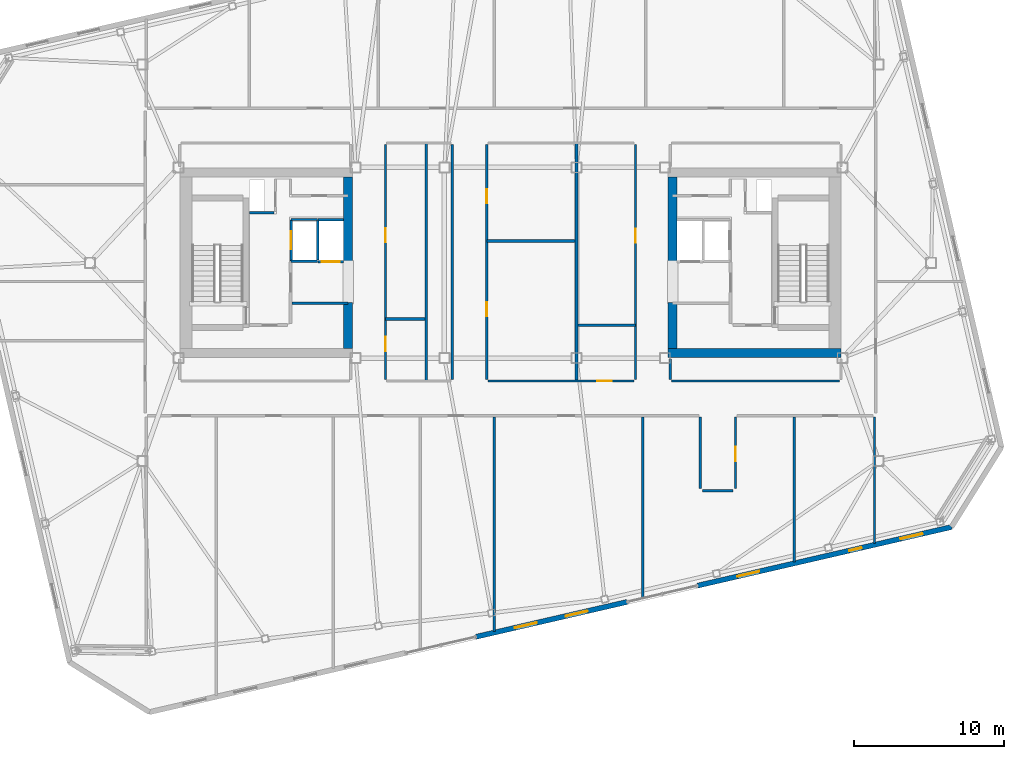
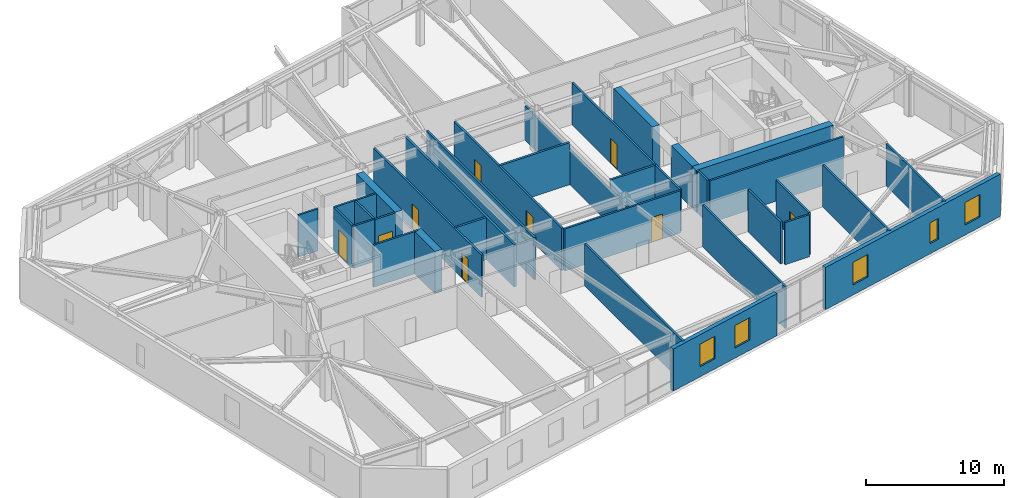
# One storey, part 16 of 22: 34 walls, 9 doors, 5 windows, 14 openings.
"""IFC4 building model written with IfcOpenShell, lengths in metres."""

from ifc_helpers import new_model, si_unit, direction, frame, frame_2d, origin, place, context, subcontext, project, spatial, rectangle, extrude, material, layer, layer_set, type_object, element, fill, save


model = new_model("IFC4")

# Units and contexts
model_context = context("Model", 3, precision=1e-05, world=origin(), true_north=direction((0.0, 1.0)))
body_context = subcontext(model_context, "Body", "Model", "MODEL_VIEW")
ifc_project = project(units=[si_unit("LENGTHUNIT", "METRE"), si_unit("AREAUNIT", "SQUARE_METRE"), si_unit("VOLUMEUNIT", "CUBIC_METRE"), si_unit("PLANEANGLEUNIT", "RADIAN"), si_unit("MASSUNIT", "GRAM", prefix="KILO")], contexts=[model_context])

# Site, building, storey
site_placement = place(None, origin())
site = spatial("IfcSite", under=ifc_project, at=site_placement, CompositionType="ELEMENT")
building_placement = place(site_placement, origin())
building = spatial("IfcBuilding", under=site, at=building_placement, Name="Tavrogorsk Clinical Tower", CompositionType="ELEMENT")
storey_placement = place(building_placement, frame((0.0, 0.0, 317.0)))
storey = spatial("IfcBuildingStorey", under=building, at=storey_placement, Name="L74", CompositionType="ELEMENT", Elevation=317.0)

# Wall
ifc_material_1 = material(Name="Lightweight concrete blockwork B15", Category="masonry")
ifc_layer_1 = layer(ifc_material_1, 0.159912109375)
ifc_layer_set_1 = layer_set([ifc_layer_1], Name="Lightweight concrete blockwork B15")
wall_type_1 = type_object("IfcWallType", Name="PartitionWall_160", PredefinedType="PARTITIONING", material=ifc_layer_set_1)
wall_1_placement = place(storey_placement, frame((-14.534912109375, -2.699951171875, 0.0), z_axis=(0.0, 0.0, 1.0), x_axis=(1.0, 0.0, 0.0)))
element("IfcWall", 1, at=wall_1_placement, inside=storey, type_object=wall_type_1, Name="L74 Core West Freed Mid-Bank North Partition", PredefinedType="PARTITIONING", context=body_context, shape_type="SweptSolid", body=[
    extrude(rectangle(XDim=3.73486328125, YDim=0.159912109375, at=frame_2d((1.867431640625, 0.0))), origin(), (0.0, 0.0, 1.0), 3.739990234375),
])

# Wall, opening, door
wall_2_placement = place(storey_placement, frame((14.97998046875, -10.264892578125, 0.0), z_axis=(0.0, 0.0, 1.0), x_axis=(0.0, -1.0, 0.0)))
wall_2 = element("IfcWall", 2, at=wall_2_placement, inside=storey, type_object=wall_type_1, Name="L74 Corridor Partition 05", PredefinedType="PARTITIONING", context=body_context, shape_type="SweptSolid", body=[
    extrude(rectangle(XDim=4.75, YDim=0.159912109375, at=frame_2d((2.375, 0.0))), origin(), (0.0, 0.0, 1.0), 3.739990234375),
])
opening_1_placement = place(wall_2_placement, frame((1.985107421875, 0.0, 0.0)))
opening_1 = element("IfcOpeningElement", 3, at=opening_1_placement, cuts=wall_2, Name="Opening ID-02", PredefinedType="OPENING", context=body_context, shape_type="SweptSolid", body=[
    extrude(rectangle(XDim=0.949951171875, YDim=2.199951171875, at=frame_2d((0.47509765625, 1.10009765625))), frame((0.0, 0.08984375, 0.0), z_axis=(0.0, -1.0, 0.0), x_axis=(1.0, 0.0, 0.0)), (0.0, 0.0, 1.0), 0.179931640625),
])
ifc_material_2 = material(Name="Laminated timber leaf on aluminium frame", Category="wood")
door_type_1 = type_object("IfcDoorType", Name="InteriorDoor_ID02_950", OperationType="NOTDEFINED", PredefinedType="DOOR", material=ifc_material_2)
door_1_placement = place(opening_1_placement, origin())
door_1 = element("IfcDoor", 4, at=door_1_placement, inside=storey, type_object=door_type_1, Name="L74 South Medical Records & Specimen Store 05 Door", OperationType="SINGLE_SWING_RIGHT", OverallHeight=2.199951171875, OverallWidth=0.949951171875, PredefinedType="DOOR", context=body_context, shape_type="SweptSolid", body=[
    extrude(rectangle(XDim=0.949951171875, YDim=2.199951171875, at=frame_2d((0.47509765625, 1.10009765625))), frame((0.0, 0.02490234375, 0.0), z_axis=(0.0, -1.0, 0.0), x_axis=(1.0, 0.0, 0.0)), (0.0, 0.0, 1.0), 0.050048828125),
])
fill(opening_1, door_1)

# Walls
wall_3_placement = place(storey_placement, frame((14.81494140625, -15.179931640625, 0.0), z_axis=(0.0, 0.0, 1.0), x_axis=(-1.0, 0.0, 0.0)))
element("IfcWall", 5, at=wall_3_placement, inside=storey, type_object=wall_type_1, Name="L74 Corridor Partition 06", PredefinedType="PARTITIONING", context=body_context, shape_type="SweptSolid", body=[
    extrude(rectangle(XDim=2.030029296875, YDim=0.159912109375, at=frame_2d((1.01513671875, 0.0))), origin(), (0.0, 0.0, 1.0), 3.739990234375),
])
wall_4_placement = place(storey_placement, frame((12.6201171875, -15.014892578125, 0.0), z_axis=(0.0, 0.0, 1.0), x_axis=(0.0, 1.0, 0.0)))
element("IfcWall", 6, at=wall_4_placement, inside=storey, type_object=wall_type_1, Name="L74 Corridor Partition 07", PredefinedType="PARTITIONING", context=body_context, shape_type="SweptSolid", body=[
    extrude(rectangle(XDim=4.75, YDim=0.159912109375, at=frame_2d((2.375, 0.0))), origin(), (0.0, 0.0, 1.0), 3.739990234375),
])
wall_5_placement = place(storey_placement, frame((10.6298828125, -6.419921875, 0.0), z_axis=(0.0, 0.0, 1.0), x_axis=(0.0, -1.0, 0.0)))
element("IfcWall", 7, at=wall_5_placement, inside=storey, type_object=wall_type_1, Name="L74 Corridor Partition 11", PredefinedType="PARTITIONING", context=body_context, shape_type="SweptSolid", body=[
    extrude(rectangle(XDim=1.364990234375, YDim=0.159912109375, at=frame_2d((0.6826171875, 0.0))), origin(), (0.0, 0.0, 1.0), 3.739990234375),
])
wall_6_placement = place(storey_placement, frame((10.715087890625, -7.8701171875, 0.0), z_axis=(0.0, 0.0, 1.0), x_axis=(1.0, 0.0, 0.0)))
element("IfcWall", 8, at=wall_6_placement, inside=storey, type_object=wall_type_1, Name="L74 Corridor Partition 12", PredefinedType="PARTITIONING", context=body_context, shape_type="SweptSolid", body=[
    extrude(rectangle(XDim=11.199951171875, YDim=0.159912109375, at=frame_2d((5.60009765625, 0.0))), origin(), (0.0, 0.0, 1.0), 3.739990234375),
])

# Wall, openings, doors
wall_7_placement = place(storey_placement, frame((-1.570068359375, 7.885009765625, 0.0), z_axis=(0.0, 0.0, 1.0), x_axis=(0.0, -1.0, 0.0)))
wall_7 = element("IfcWall", 9, at=wall_7_placement, inside=storey, type_object=wall_type_1, Name="L74 Corridor Partition 16", PredefinedType="PARTITIONING", context=body_context, shape_type="SweptSolid", body=[
    extrude(rectangle(XDim=15.669921875, YDim=0.159912109375, at=frame_2d((7.8349609375, 0.0))), origin(), (0.0, 0.0, 1.0), 3.739990234375),
])
opening_2_placement = place(wall_7_placement, frame((10.510986328125, 0.0, 0.0)))
opening_2 = element("IfcOpeningElement", 10, at=opening_2_placement, cuts=wall_7, Name="Opening ID-02", PredefinedType="OPENING", context=body_context, shape_type="SweptSolid", body=[
    extrude(rectangle(XDim=0.949951171875, YDim=2.199951171875, at=frame_2d((0.47509765625, 1.10009765625))), frame((0.0, 0.08984375, 0.0), z_axis=(0.0, -1.0, 0.0), x_axis=(1.0, 0.0, 0.0)), (0.0, 0.0, 1.0), 0.179931640625),
])
opening_3_placement = place(wall_7_placement, frame((2.97900390625, 0.0, 0.0)))
opening_3 = element("IfcOpeningElement", 11, at=opening_3_placement, cuts=wall_7, Name="Opening ID-02", PredefinedType="OPENING", context=body_context, shape_type="SweptSolid", body=[
    extrude(rectangle(XDim=0.949951171875, YDim=2.199951171875, at=frame_2d((0.47509765625, 1.10009765625))), frame((0.0, 0.08984375, 0.0), z_axis=(0.0, -1.0, 0.0), x_axis=(1.0, 0.0, 0.0)), (0.0, 0.0, 1.0), 0.179931640625),
])
door_2_placement = place(opening_2_placement, origin())
door_2 = element("IfcDoor", 12, at=door_2_placement, inside=storey, type_object=door_type_1, Name="L74 Multidisciplinary Conference Room Door", OperationType="SINGLE_SWING_RIGHT", OverallHeight=2.199951171875, OverallWidth=0.949951171875, PredefinedType="DOOR", context=body_context, shape_type="SweptSolid", body=[
    extrude(rectangle(XDim=0.949951171875, YDim=2.199951171875, at=frame_2d((0.47509765625, 1.10009765625))), frame((0.0, 0.02490234375, 0.0), z_axis=(0.0, -1.0, 0.0), x_axis=(1.0, 0.0, 0.0)), (0.0, 0.0, 1.0), 0.050048828125),
])
fill(opening_2, door_2)
door_3_placement = place(opening_3_placement, origin())
door_3 = element("IfcDoor", 13, at=door_3_placement, inside=storey, type_object=door_type_1, Name="L74 Nurses' Station & Triage Hub Door", OperationType="SINGLE_SWING_LEFT", OverallHeight=2.199951171875, OverallWidth=0.949951171875, PredefinedType="DOOR", context=body_context, shape_type="SweptSolid", body=[
    extrude(rectangle(XDim=0.949951171875, YDim=2.199951171875, at=frame_2d((0.47509765625, 1.10009765625))), frame((0.0, 0.02490234375, 0.0), z_axis=(0.0, -1.0, 0.0), x_axis=(1.0, 0.0, 0.0)), (0.0, 0.0, 1.0), 0.050048828125),
])
fill(opening_3, door_3)

# Wall, opening, door
wall_8_placement = place(storey_placement, frame((-1.485107421875, -7.8701171875, 0.0), z_axis=(0.0, 0.0, 1.0), x_axis=(1.0, 0.0, 0.0)))
wall_8 = element("IfcWall", 14, at=wall_8_placement, inside=storey, type_object=wall_type_1, Name="L74 Corridor Partition 17", PredefinedType="PARTITIONING", context=body_context, shape_type="SweptSolid", body=[
    extrude(rectangle(XDim=9.72021484375, YDim=0.159912109375, at=frame_2d((4.860107421875, 0.0))), origin(), (0.0, 0.0, 1.0), 3.739990234375),
])
opening_4_placement = place(wall_8_placement, frame((7.260986328125, 0.0, 0.0)))
opening_4 = element("IfcOpeningElement", 15, at=opening_4_placement, cuts=wall_8, Name="Opening ID-02", PredefinedType="OPENING", context=body_context, shape_type="SweptSolid", body=[
    extrude(rectangle(XDim=0.949951171875, YDim=2.199951171875, at=frame_2d((0.47509765625, 1.10009765625))), frame((0.0, 0.08984375, 0.0), z_axis=(0.0, -1.0, 0.0), x_axis=(1.0, 0.0, 0.0)), (0.0, 0.0, 1.0), 0.179931640625),
])
door_4_placement = place(opening_4_placement, origin())
door_4 = element("IfcDoor", 16, at=door_4_placement, inside=storey, type_object=door_type_1, Name="L74 Staff & Visitor Accessible WC Door", OperationType="SINGLE_SWING_RIGHT", OverallHeight=2.199951171875, OverallWidth=0.949951171875, PredefinedType="DOOR", context=body_context, shape_type="SweptSolid", body=[
    extrude(rectangle(XDim=0.949951171875, YDim=2.199951171875, at=frame_2d((0.47509765625, 1.10009765625))), frame((0.0, 0.02490234375, 0.0), z_axis=(0.0, -1.0, 0.0), x_axis=(1.0, 0.0, 0.0)), (0.0, 0.0, 1.0), 0.050048828125),
])
fill(opening_4, door_4)

wall_9_placement = place(storey_placement, frame((8.320068359375, -7.784912109375, 0.0), z_axis=(0.0, 0.0, 1.0), x_axis=(0.0, 1.0, 0.0)))
wall_9 = element("IfcWall", 17, at=wall_9_placement, inside=storey, type_object=wall_type_1, Name="L74 Corridor Partition 18", PredefinedType="PARTITIONING", context=body_context, shape_type="SweptSolid", body=[
    extrude(rectangle(XDim=15.669921875, YDim=0.159912109375, at=frame_2d((7.8349609375, 0.0))), origin(), (0.0, 0.0, 1.0), 3.739990234375),
])
opening_5_placement = place(wall_9_placement, frame((9.11083984375, 0.0, 0.0)))
opening_5 = element("IfcOpeningElement", 18, at=opening_5_placement, cuts=wall_9, Name="Opening ID-02", PredefinedType="OPENING", context=body_context, shape_type="SweptSolid", body=[
    extrude(rectangle(XDim=0.949951171875, YDim=2.199951171875, at=frame_2d((0.47509765625, 1.10009765625))), frame((0.0, 0.08984375, 0.0), z_axis=(0.0, -1.0, 0.0), x_axis=(1.0, 0.0, 0.0)), (0.0, 0.0, 1.0), 0.179931640625),
])
door_5_placement = place(opening_5_placement, origin())
door_5 = element("IfcDoor", 19, at=door_5_placement, inside=storey, type_object=door_type_1, Name="L74 Attending Physician Office Door", OperationType="SINGLE_SWING_LEFT", OverallHeight=2.199951171875, OverallWidth=0.949951171875, PredefinedType="DOOR", context=body_context, shape_type="SweptSolid", body=[
    extrude(rectangle(XDim=0.949951171875, YDim=2.199951171875, at=frame_2d((0.47509765625, 1.10009765625))), frame((0.0, 0.02490234375, 0.0), z_axis=(0.0, -1.0, 0.0), x_axis=(1.0, 0.0, 0.0)), (0.0, 0.0, 1.0), 0.050048828125),
])
fill(opening_5, door_5)

# Wall
wall_10_placement = place(storey_placement, frame((-3.8798828125, -7.784912109375, 0.0), z_axis=(0.0, 0.0, 1.0), x_axis=(0.0, 1.0, 0.0)))
element("IfcWall", 20, at=wall_10_placement, inside=storey, type_object=wall_type_1, Name="L74 Corridor Partition 19", PredefinedType="PARTITIONING", context=body_context, shape_type="SweptSolid", body=[
    extrude(rectangle(XDim=15.669921875, YDim=0.159912109375, at=frame_2d((7.8349609375, 0.0))), origin(), (0.0, 0.0, 1.0), 3.739990234375),
])

# Wall, openings, doors
wall_11_placement = place(storey_placement, frame((-8.320068359375, 7.885009765625, 0.0), z_axis=(0.0, 0.0, 1.0), x_axis=(0.0, -1.0, 0.0)))
wall_11 = element("IfcWall", 21, at=wall_11_placement, inside=storey, type_object=wall_type_1, Name="L74 Corridor Partition 21", PredefinedType="PARTITIONING", context=body_context, shape_type="SweptSolid", body=[
    extrude(rectangle(XDim=15.669921875, YDim=0.159912109375, at=frame_2d((7.8349609375, 0.0))), origin(), (0.0, 0.0, 1.0), 3.739990234375),
])
opening_6_placement = place(wall_11_placement, frame((12.810791015625, 0.0, 0.0)))
opening_6 = element("IfcOpeningElement", 22, at=opening_6_placement, cuts=wall_11, Name="Opening ID-02", PredefinedType="OPENING", context=body_context, shape_type="SweptSolid", body=[
    extrude(rectangle(XDim=0.949951171875, YDim=2.199951171875, at=frame_2d((0.47509765625, 1.10009765625))), frame((0.0, 0.08984375, 0.0), z_axis=(0.0, -1.0, 0.0), x_axis=(1.0, 0.0, 0.0)), (0.0, 0.0, 1.0), 0.179931640625),
])
opening_7_placement = place(wall_11_placement, frame((5.5791015625, 0.0, 0.0)))
opening_7 = element("IfcOpeningElement", 23, at=opening_7_placement, cuts=wall_11, Name="Opening ID-02", PredefinedType="OPENING", context=body_context, shape_type="SweptSolid", body=[
    extrude(rectangle(XDim=0.949951171875, YDim=2.199951171875, at=frame_2d((0.47509765625, 1.10009765625))), frame((0.0, 0.08984375, 0.0), z_axis=(0.0, -1.0, 0.0), x_axis=(1.0, 0.0, 0.0)), (0.0, 0.0, 1.0), 0.179931640625),
])
door_6_placement = place(opening_6_placement, origin())
door_6 = element("IfcDoor", 24, at=door_6_placement, inside=storey, type_object=door_type_1, Name="L74 Accessible Patient Lavatory Door", OperationType="SINGLE_SWING_RIGHT", OverallHeight=2.199951171875, OverallWidth=0.949951171875, PredefinedType="DOOR", context=body_context, shape_type="SweptSolid", body=[
    extrude(rectangle(XDim=0.949951171875, YDim=2.199951171875, at=frame_2d((0.47509765625, 1.10009765625))), frame((0.0, 0.02490234375, 0.0), z_axis=(0.0, -1.0, 0.0), x_axis=(1.0, 0.0, 0.0)), (0.0, 0.0, 1.0), 0.050048828125),
])
fill(opening_6, door_6)
door_7_placement = place(opening_7_placement, origin())
door_7 = element("IfcDoor", 25, at=door_7_placement, inside=storey, type_object=door_type_1, Name="L74 Ward Nourishment Pantry Door", OperationType="SINGLE_SWING_LEFT", OverallHeight=2.199951171875, OverallWidth=0.949951171875, PredefinedType="DOOR", context=body_context, shape_type="SweptSolid", body=[
    extrude(rectangle(XDim=0.949951171875, YDim=2.199951171875, at=frame_2d((0.47509765625, 1.10009765625))), frame((0.0, 0.02490234375, 0.0), z_axis=(0.0, -1.0, 0.0), x_axis=(1.0, 0.0, 0.0)), (0.0, 0.0, 1.0), 0.050048828125),
])
fill(opening_7, door_7)

# Walls
wall_12_placement = place(storey_placement, frame((24.22998046875, -18.702880859375, 0.0), z_axis=(0.0, 0.0, 1.0), x_axis=(0.0, 1.0, 0.0)))
element("IfcWall", 26, at=wall_12_placement, inside=storey, type_object=wall_type_1, Name="L74 SE Wing Closure Partition", PredefinedType="PARTITIONING", context=body_context, shape_type="SweptSolid", body=[
    extrude(rectangle(XDim=8.43798828125, YDim=0.159912109375, at=frame_2d((4.218994140625, 0.0))), origin(), (0.0, 0.0, 1.0), 3.739990234375),
])
wall_13_placement = place(storey_placement, frame((-1.090087890625, -24.54833984375, 0.0), z_axis=(0.0, 0.0, 1.0), x_axis=(0.0, 1.0, 0.0)))
element("IfcWall", 27, at=wall_13_placement, inside=storey, type_object=wall_type_1, Name="L74 South Room Partition 3", PredefinedType="PARTITIONING", context=body_context, shape_type="SweptSolid", body=[
    extrude(rectangle(XDim=14.283447265625, YDim=0.159912109375, at=frame_2d((7.1416015625, 0.0))), origin(), (0.0, 0.0, 1.0), 3.739990234375),
])
wall_14_placement = place(storey_placement, frame((8.800048828125, -22.26513671875, 0.0), z_axis=(0.0, 0.0, 1.0), x_axis=(0.0, 1.0, 0.0)))
element("IfcWall", 28, at=wall_14_placement, inside=storey, type_object=wall_type_1, Name="L74 South Room Partition 4", PredefinedType="PARTITIONING", context=body_context, shape_type="SweptSolid", body=[
    extrude(rectangle(XDim=12.000244140625, YDim=0.159912109375, at=frame_2d((6.0, 0.0))), origin(), (0.0, 0.0, 1.0), 3.739990234375),
])
wall_15_placement = place(storey_placement, frame((18.89990234375, -19.933349609375, 0.0), z_axis=(0.0, 0.0, 1.0), x_axis=(0.0, 1.0, 0.0)))
element("IfcWall", 29, at=wall_15_placement, inside=storey, type_object=wall_type_1, Name="L74 South Room Partition 5", PredefinedType="PARTITIONING", context=body_context, shape_type="SweptSolid", body=[
    extrude(rectangle(XDim=9.66845703125, YDim=0.159912109375, at=frame_2d((4.834228515625, 0.0))), origin(), (0.0, 0.0, 1.0), 3.739990234375),
])
ifc_material_3 = material(Name="Lightweight concrete blockwork B20", Category="masonry")
ifc_layer_2 = layer(ifc_material_3, 0.179931640625)
ifc_layer_set_2 = layer_set([ifc_layer_2], Name="Lightweight concrete blockwork B20")
wall_type_2 = type_object("IfcWallType", Name="PartitionWall_180", PredefinedType="PARTITIONING", material=ifc_layer_set_2)
wall_16_placement = place(storey_placement, frame((-5.60009765625, -7.864990234375, 0.0), z_axis=(0.0, 0.0, 1.0), x_axis=(0.0, 1.0, 0.0)))
element("IfcWall", 30, at=wall_16_placement, inside=storey, type_object=wall_type_2, Name="L74 Central Spine Partition 1", PredefinedType="PARTITIONING", context=body_context, shape_type="SweptSolid", body=[
    extrude(rectangle(XDim=15.830078125, YDim=0.179931640625, at=frame_2d((7.9150390625, 0.0))), origin(), (0.0, 0.0, 1.0), 3.739990234375),
])
wall_17_placement = place(storey_placement, frame((4.39990234375, -7.864990234375, 0.0), z_axis=(0.0, 0.0, 1.0), x_axis=(0.0, 1.0, 0.0)))
element("IfcWall", 31, at=wall_17_placement, inside=storey, type_object=wall_type_2, Name="L74 Central Spine Partition 2", PredefinedType="PARTITIONING", context=body_context, shape_type="SweptSolid", body=[
    extrude(rectangle(XDim=15.830078125, YDim=0.179931640625, at=frame_2d((7.9150390625, 0.0))), origin(), (0.0, 0.0, 1.0), 3.034912109375),
])
wall_18_placement = place(storey_placement, frame((-1.56494140625, 1.449951171875, 0.0), z_axis=(0.0, 0.0, 1.0), x_axis=(1.0, 0.0, 0.0)))
element("IfcWall", 32, at=wall_18_placement, inside=storey, type_object=wall_type_2, Name="L74 Central Spine Partition 3", PredefinedType="PARTITIONING", context=body_context, shape_type="SweptSolid", body=[
    extrude(rectangle(XDim=5.869873046875, YDim=0.179931640625, at=frame_2d((2.93505859375, 0.0))), origin(), (0.0, 0.0, 1.0), 3.739990234375),
])
wall_19_placement = place(storey_placement, frame((-8.31494140625, -3.75, 0.0), z_axis=(0.0, 0.0, 1.0), x_axis=(1.0, 0.0, 0.0)))
element("IfcWall", 33, at=wall_19_placement, inside=storey, type_object=wall_type_2, Name="L74 Central Spine Partition 4", PredefinedType="PARTITIONING", context=body_context, shape_type="SweptSolid", body=[
    extrude(rectangle(XDim=2.619873046875, YDim=0.179931640625, at=frame_2d((1.31005859375, 0.0))), origin(), (0.0, 0.0, 1.0), 3.739990234375),
])
wall_20_placement = place(storey_placement, frame((4.4951171875, -4.14990234375, 0.0), z_axis=(0.0, 0.0, 1.0), x_axis=(1.0, 0.0, 0.0)))
element("IfcWall", 34, at=wall_20_placement, inside=storey, type_object=wall_type_2, Name="L74 Central Spine Partition 5", PredefinedType="PARTITIONING", context=body_context, shape_type="SweptSolid", body=[
    extrude(rectangle(XDim=3.81982421875, YDim=0.179931640625, at=frame_2d((1.909912109375, 0.0))), origin(), (0.0, 0.0, 1.0), 3.739990234375),
])

# Wall, openings, windows
ifc_material_4 = material(Name="Precast concrete B45 with limestone cladding", Category="masonry")
ifc_layer_3 = layer(ifc_material_4, 0.340087890625)
ifc_layer_set_3 = layer_set([ifc_layer_3], Name="Precast concrete B45 with limestone cladding")
wall_type_3 = type_object("IfcWallType", Name="PrecastLimestoneWall_340", PredefinedType="STANDARD", material=ifc_layer_set_3)
wall_21_placement = place(storey_placement, frame((-2.294921875, -24.8984375, 0.0), z_axis=(0.0, 0.0, 1.0), x_axis=(0.974370872906, 0.224947553958, 0.0)))
wall_21 = element("IfcWall", 35, at=wall_21_placement, inside=storey, type_object=wall_type_3, Name="L74 S Limestone Facade Wall 2", PredefinedType="STANDARD", context=body_context, shape_type="SweptSolid", body=[
    extrude(rectangle(XDim=10.327880859375, YDim=0.340087890625, at=frame_2d((5.1640625, 0.0))), origin(), (0.0, 0.0, 1.0), 3.739990234375),
])
opening_8_placement = place(wall_21_placement, frame((2.65478515625, 0.0, 0.89990234375)))
opening_8 = element("IfcOpeningElement", 36, at=opening_8_placement, cuts=wall_21, Name="Opening WN-05", PredefinedType="OPENING", context=body_context, shape_type="SweptSolid", body=[
    extrude(rectangle(XDim=1.5, YDim=2.0, at=frame_2d((0.75, 1.0))), frame((0.0, 0.179931640625, 0.0), z_axis=(0.0, -1.0, 0.0), x_axis=(1.0, 0.0, 0.0)), (0.0, 0.0, 1.0), 0.360107421875),
])
opening_9_placement = place(wall_21_placement, frame((6.124267578125, 0.0, 0.89990234375)))
opening_9 = element("IfcOpeningElement", 37, at=opening_9_placement, cuts=wall_21, Name="Opening WN-05", PredefinedType="OPENING", context=body_context, shape_type="SweptSolid", body=[
    extrude(rectangle(XDim=1.5, YDim=2.0, at=frame_2d((0.75, 1.0))), frame((0.0, 0.179931640625, 0.0), z_axis=(0.0, -1.0, 0.0), x_axis=(1.0, 0.0, 0.0)), (0.0, 0.0, 1.0), 0.360107421875),
])
ifc_material_5 = material(Name="Thermally broken aluminium frame and triple IGU", Category="aluminium")
window_type_1 = type_object("IfcWindowType", Name="ConsultWin_1500x2000", PartitioningType="SINGLE_PANEL", PredefinedType="WINDOW", material=ifc_material_5)
window_1_placement = place(opening_8_placement, origin())
window_1 = element("IfcWindow", 38, at=window_1_placement, inside=storey, type_object=window_type_1, Name="L74 S Chicago Window 05", OverallHeight=2.0, OverallWidth=1.5, PartitioningType="SINGLE_PANEL", PredefinedType="WINDOW", context=body_context, shape_type="SweptSolid", body=[
    extrude(rectangle(XDim=1.5, YDim=2.0, at=frame_2d((0.75, 1.0))), frame((0.0, 0.030029296875, 0.0), z_axis=(0.0, -1.0, 0.0), x_axis=(1.0, 0.0, 0.0)), (0.0, 0.0, 1.0), 0.06005859375),
])
fill(opening_8, window_1)
window_2_placement = place(opening_9_placement, origin())
window_2 = element("IfcWindow", 39, at=window_2_placement, inside=storey, type_object=window_type_1, Name="L74 S Chicago Window 06", OverallHeight=2.0, OverallWidth=1.5, PartitioningType="SINGLE_PANEL", PredefinedType="WINDOW", context=body_context, shape_type="SweptSolid", body=[
    extrude(rectangle(XDim=1.5, YDim=2.0, at=frame_2d((0.75, 1.0))), frame((0.0, 0.030029296875, 0.0), z_axis=(0.0, -1.0, 0.0), x_axis=(1.0, 0.0, 0.0)), (0.0, 0.0, 1.0), 0.06005859375),
])
fill(opening_9, window_2)

wall_22_placement = place(storey_placement, frame((12.4453125, -21.495361328125, 0.0), z_axis=(0.0, 0.0, 1.0), x_axis=(0.974369392164, 0.224953967767, 0.0)))
wall_22 = element("IfcWall", 40, at=wall_22_placement, inside=storey, type_object=wall_type_3, Name="L74 S Limestone Facade Wall 3", PredefinedType="STANDARD", context=body_context, shape_type="SweptSolid", body=[
    extrude(rectangle(XDim=17.36572265625, YDim=0.340087890625, at=frame_2d((8.682861328125, 0.0))), origin(), (0.0, 0.0, 1.0), 3.739990234375),
])
opening_10_placement = place(wall_22_placement, frame((2.728515625, 0.0, 0.89990234375)))
opening_10 = element("IfcOpeningElement", 41, at=opening_10_placement, cuts=wall_22, Name="Opening WN-05", PredefinedType="OPENING", context=body_context, shape_type="SweptSolid", body=[
    extrude(rectangle(XDim=1.5, YDim=2.0, at=frame_2d((0.75, 1.0))), frame((0.0, 0.179931640625, 0.0), z_axis=(0.0, -1.0, 0.0), x_axis=(1.0, 0.0, 0.0)), (0.0, 0.0, 1.0), 0.360107421875),
])
opening_11_placement = place(wall_22_placement, frame((10.36279296875, 0.0, 0.89990234375)))
opening_11 = element("IfcOpeningElement", 42, at=opening_11_placement, cuts=wall_22, Name="Opening WN-06", PredefinedType="OPENING", context=body_context, shape_type="SweptSolid", body=[
    extrude(rectangle(XDim=0.85009765625, YDim=1.85009765625, at=frame_2d((0.425048828125, 0.925048828125))), frame((0.0, 0.179931640625, 0.0), z_axis=(0.0, -1.0, 0.0), x_axis=(1.0, 0.0, 0.0)), (0.0, 0.0, 1.0), 0.360107421875),
])
opening_12_placement = place(wall_22_placement, frame((13.87451171875, 0.0, 0.89990234375)))
opening_12 = element("IfcOpeningElement", 43, at=opening_12_placement, cuts=wall_22, Name="Opening WN-05", PredefinedType="OPENING", context=body_context, shape_type="SweptSolid", body=[
    extrude(rectangle(XDim=1.5, YDim=2.0, at=frame_2d((0.75, 1.0))), frame((0.0, 0.179931640625, 0.0), z_axis=(0.0, -1.0, 0.0), x_axis=(1.0, 0.0, 0.0)), (0.0, 0.0, 1.0), 0.360107421875),
])
window_3_placement = place(opening_10_placement, origin())
window_3 = element("IfcWindow", 44, at=window_3_placement, inside=storey, type_object=window_type_1, Name="L74 S Chicago Window 07", OverallHeight=2.0, OverallWidth=1.5, PartitioningType="SINGLE_PANEL", PredefinedType="WINDOW", context=body_context, shape_type="SweptSolid", body=[
    extrude(rectangle(XDim=1.5, YDim=2.0, at=frame_2d((0.75, 1.0))), frame((0.0, 0.030029296875, 0.0), z_axis=(0.0, -1.0, 0.0), x_axis=(1.0, 0.0, 0.0)), (0.0, 0.0, 1.0), 0.06005859375),
])
fill(opening_10, window_3)
window_4_placement = place(opening_12_placement, origin())
window_4 = element("IfcWindow", 45, at=window_4_placement, inside=storey, type_object=window_type_1, Name="L74 S Chicago Window 10", OverallHeight=2.0, OverallWidth=1.5, PartitioningType="SINGLE_PANEL", PredefinedType="WINDOW", context=body_context, shape_type="SweptSolid", body=[
    extrude(rectangle(XDim=1.5, YDim=2.0, at=frame_2d((0.75, 1.0))), frame((0.0, 0.030029296875, 0.0), z_axis=(0.0, -1.0, 0.0), x_axis=(1.0, 0.0, 0.0)), (0.0, 0.0, 1.0), 0.06005859375),
])
fill(opening_12, window_4)
ifc_material_6 = material(Name="Thermally broken aluminium frame and triple IGU", Category="aluminium")
window_type_2 = type_object("IfcWindowType", Name="MullionSubWin_850x1850", PartitioningType="SINGLE_PANEL", PredefinedType="WINDOW", material=ifc_material_6)
window_5_placement = place(opening_11_placement, origin())
window_5 = element("IfcWindow", 46, at=window_5_placement, inside=storey, type_object=window_type_2, Name="L74 S Mullion Split Window 09A", OverallHeight=1.85009765625, OverallWidth=0.85009765625, PartitioningType="SINGLE_PANEL", PredefinedType="WINDOW", context=body_context, shape_type="SweptSolid", body=[
    extrude(rectangle(XDim=0.85009765625, YDim=1.85009765625, at=frame_2d((0.425048828125, 0.925048828125))), frame((0.0, 0.030029296875, 0.0), z_axis=(0.0, -1.0, 0.0), x_axis=(1.0, 0.0, 0.0)), (0.0, 0.0, 1.0), 0.06005859375),
])
fill(opening_11, window_5)

# Wall, opening, door
ifc_material_7 = material(Name="Lightweight concrete blockwork B25", Category="masonry")
ifc_layer_4 = layer(ifc_material_7, 0.159912109375)
ifc_layer_set_4 = layer_set([ifc_layer_4], Name="Lightweight concrete blockwork B25")
wall_type_4 = type_object("IfcWallType", Name="ShaftWall_160", PredefinedType="PARTITIONING", material=ifc_layer_set_4)
wall_23_placement = place(storey_placement, frame((-14.60009765625, 0.1201171875, 0.0), z_axis=(0.0, 0.0, 1.0), x_axis=(0.0, 1.0, 0.0)))
wall_23 = element("IfcWall", 47, at=wall_23_placement, inside=storey, type_object=wall_type_4, Name="L74 FFL-W Firefighting Lift Front Wall", PredefinedType="PARTITIONING", context=body_context, shape_type="SweptSolid", body=[
    extrude(rectangle(XDim=2.739990234375, YDim=0.159912109375, at=frame_2d((1.3701171875, 0.0))), origin(), (0.0, 0.0, 1.0), 3.739990234375),
])
opening_13_placement = place(wall_23_placement, frame((0.77001953125, 0.0, 0.0)))
opening_13 = element("IfcOpeningElement", 48, at=opening_13_placement, cuts=wall_23, Name="Opening LD", PredefinedType="OPENING", context=body_context, shape_type="SweptSolid", body=[
    extrude(rectangle(XDim=1.199951171875, YDim=2.199951171875, at=frame_2d((0.60009765625, 1.10009765625))), frame((0.0, 0.08984375, 0.0), z_axis=(0.0, -1.0, 0.0), x_axis=(1.0, 0.0, 0.0)), (0.0, 0.0, 1.0), 0.179931640625),
])
ifc_material_8 = material(Name="Brushed stainless steel AISI 304 sliding doors", Category="steel")
door_type_2 = type_object("IfcDoorType", Name="LiftLandingDoor_LD_1200", OperationType="SLIDING_TO_LEFT", PredefinedType="DOOR", material=ifc_material_8)
door_8_placement = place(opening_13_placement, origin())
door_8 = element("IfcDoor", 49, at=door_8_placement, inside=storey, type_object=door_type_2, Name="L74 FFL-W Sliding Lift Landing Door", OperationType="SLIDING_TO_LEFT", OverallHeight=2.199951171875, OverallWidth=1.199951171875, PredefinedType="DOOR", context=body_context, shape_type="SweptSolid", body=[
    extrude(rectangle(XDim=1.199951171875, YDim=2.199951171875, at=frame_2d((0.60009765625, 1.10009765625))), frame((0.0, 0.02490234375, 0.0), z_axis=(0.0, -1.0, 0.0), x_axis=(1.0, 0.0, 0.0)), (0.0, 0.0, 1.0), 0.050048828125),
])
fill(opening_13, door_8)

# Walls
for number, where, z_axis, x_axis, name in (
    (50, (-14.60009765625, 0.10009765625, 0.0), (0.0, 0.0, 1.0), (1.0, 0.0, 0.0), "L74 FFL-W Shaft South Wall"),
    (51, (-14.60009765625, 2.8798828125, 0.0), (0.0, 0.0, 1.0), (1.0, 0.0, 0.0), "L74 FFL-W Shaft North Wall"),
):
    element("IfcWall", number, at=place(storey_placement, frame(where, z_axis=z_axis, x_axis=x_axis)), inside=storey, type_object=wall_type_4, Name=name, PredefinedType="PARTITIONING", context=body_context, shape_type="SweptSolid", body=[
        extrude(rectangle(XDim=1.760009765625, YDim=0.159912109375, at=frame_2d((0.8798828125, 0.0))), origin(), (0.0, 0.0, 1.0), 3.739990234375),
    ])
wall_24_placement = place(storey_placement, frame((-12.840087890625, 0.179931640625, 0.0), z_axis=(0.0, 0.0, 1.0), x_axis=(0.0, 1.0, 0.0)))
element("IfcWall", 52, at=wall_24_placement, inside=storey, type_object=wall_type_4, Name="L74 FFL-W Shaft Back Wall", PredefinedType="PARTITIONING", context=body_context, shape_type="SweptSolid", body=[
    extrude(rectangle(XDim=2.6201171875, YDim=0.159912109375, at=frame_2d((1.31005859375, 0.0))), origin(), (0.0, 0.0, 1.0), 3.739990234375),
])

# Wall, opening, door
wall_25_placement = place(storey_placement, frame((-12.820068359375, 0.06005859375, 0.0), z_axis=(0.0, 0.0, 1.0), x_axis=(1.0, 0.0, 0.0)))
wall_25 = element("IfcWall", 53, at=wall_25_placement, inside=storey, type_object=wall_type_4, Name="L74 LP-H1 High-Zone Lift Portal Wall", PredefinedType="PARTITIONING", context=body_context, shape_type="SweptSolid", body=[
    extrude(rectangle(XDim=1.719970703125, YDim=0.159912109375, at=frame_2d((0.85986328125, 0.0))), origin(), (0.0, 0.0, 1.0), 3.739990234375),
])
opening_14_placement = place(wall_25_placement, frame((0.260009765625, 0.0, 0.0)))
opening_14 = element("IfcOpeningElement", 54, at=opening_14_placement, cuts=wall_25, Name="Opening LD", PredefinedType="OPENING", context=body_context, shape_type="SweptSolid", body=[
    extrude(rectangle(XDim=1.199951171875, YDim=2.199951171875, at=frame_2d((0.60009765625, 1.10009765625))), frame((0.0, 0.08984375, 0.0), z_axis=(0.0, -1.0, 0.0), x_axis=(1.0, 0.0, 0.0)), (0.0, 0.0, 1.0), 0.179931640625),
])
door_9_placement = place(opening_14_placement, origin())
door_9 = element("IfcDoor", 55, at=door_9_placement, inside=storey, type_object=door_type_2, Name="L74 LP-H1 Sliding Lift Landing Door", OperationType="SLIDING_TO_LEFT", OverallHeight=2.199951171875, OverallWidth=1.199951171875, PredefinedType="DOOR", context=body_context, shape_type="SweptSolid", body=[
    extrude(rectangle(XDim=1.199951171875, YDim=2.199951171875, at=frame_2d((0.60009765625, 1.10009765625))), frame((0.0, 0.02490234375, 0.0), z_axis=(0.0, -1.0, 0.0), x_axis=(1.0, 0.0, 0.0)), (0.0, 0.0, 1.0), 0.050048828125),
])
fill(opening_14, door_9)

# Walls
wall_26_placement = place(storey_placement, frame((-12.820068359375, 2.860107421875, 0.0), z_axis=(0.0, 0.0, 1.0), x_axis=(1.0, 0.0, 0.0)))
element("IfcWall", 56, at=wall_26_placement, inside=storey, type_object=wall_type_4, Name="L74 LP-H1 High-Zone Lift Rear Wall", PredefinedType="PARTITIONING", context=body_context, shape_type="SweptSolid", body=[
    extrude(rectangle(XDim=1.719970703125, YDim=0.159912109375, at=frame_2d((0.85986328125, 0.0))), origin(), (0.0, 0.0, 1.0), 3.739990234375),
])
wall_27_placement = place(storey_placement, frame((-17.3798828125, 3.320068359375, 0.0), z_axis=(0.0, 0.0, 1.0), x_axis=(1.0, 0.0, 0.0)))
element("IfcWall", 57, at=wall_27_placement, inside=storey, type_object=wall_type_4, Name="L74 Core West Riser South Wall", PredefinedType="PARTITIONING", context=body_context, shape_type="SweptSolid", body=[
    extrude(rectangle(XDim=1.65478515625, YDim=0.159912109375, at=frame_2d((0.827392578125, 0.0))), origin(), (0.0, 0.0, 1.0), 3.739990234375),
])
ifc_material_9 = material(Name="Concrete B80", Category="concrete")
ifc_layer_5 = layer(ifc_material_9, 0.60009765625)
ifc_layer_set_5 = layer_set([ifc_layer_5], Name="Concrete B80")
wall_type_5 = type_object("IfcWallType", Name="ShearWall_600", PredefinedType="SHEAR", material=ifc_layer_set_5)
wall_28_placement = place(storey_placement, frame((-10.800048828125, -5.699951171875, 0.0), z_axis=(0.0, 0.0, 1.0), x_axis=(0.0, 1.0, 0.0)))
element("IfcWall", 58, at=wall_28_placement, inside=storey, type_object=wall_type_5, Name="L74 Core West Inner South Pier", PredefinedType="SHEAR", context=body_context, shape_type="SweptSolid", body=[
    extrude(rectangle(XDim=3.050048828125, YDim=0.60009765625, at=frame_2d((1.52490234375, 0.0))), origin(), (0.0, 0.0, 1.0), 3.739990234375),
])
wall_29_placement = place(storey_placement, frame((-10.800048828125, 0.050048828125, 0.0), z_axis=(0.0, 0.0, 1.0), x_axis=(0.0, 1.0, 0.0)))
element("IfcWall", 59, at=wall_29_placement, inside=storey, type_object=wall_type_5, Name="L74 Core West Inner North Pier", PredefinedType="SHEAR", context=body_context, shape_type="SweptSolid", body=[
    extrude(rectangle(XDim=5.64990234375, YDim=0.60009765625, at=frame_2d((2.824951171875, 0.0))), origin(), (0.0, 0.0, 1.0), 3.739990234375),
])
wall_30_placement = place(storey_placement, frame((10.5, -6.0, 0.0), z_axis=(0.0, 0.0, 1.0), x_axis=(1.0, 0.0, 0.0)))
element("IfcWall", 60, at=wall_30_placement, inside=storey, type_object=wall_type_5, Name="L74 Core East South Shear Wall", PredefinedType="SHEAR", context=body_context, shape_type="SweptSolid", body=[
    extrude(rectangle(XDim=11.5, YDim=0.60009765625, at=frame_2d((5.75, 0.0))), origin(), (0.0, 0.0, 1.0), 3.739990234375),
])
wall_31_placement = place(storey_placement, frame((10.800048828125, -5.699951171875, 0.0), z_axis=(0.0, 0.0, 1.0), x_axis=(0.0, 1.0, 0.0)))
element("IfcWall", 61, at=wall_31_placement, inside=storey, type_object=wall_type_5, Name="L74 Core East Inner South Pier", PredefinedType="SHEAR", context=body_context, shape_type="SweptSolid", body=[
    extrude(rectangle(XDim=3.050048828125, YDim=0.60009765625, at=frame_2d((1.52490234375, 0.0))), origin(), (0.0, 0.0, 1.0), 3.739990234375),
])
wall_32_placement = place(storey_placement, frame((10.800048828125, 0.050048828125, 0.0), z_axis=(0.0, 0.0, 1.0), x_axis=(0.0, 1.0, 0.0)))
element("IfcWall", 62, at=wall_32_placement, inside=storey, type_object=wall_type_5, Name="L74 Core East Inner North Pier", PredefinedType="SHEAR", context=body_context, shape_type="SweptSolid", body=[
    extrude(rectangle(XDim=5.64990234375, YDim=0.60009765625, at=frame_2d((2.824951171875, 0.0))), origin(), (0.0, 0.0, 1.0), 3.739990234375),
])

save(model, "model.ifc")
